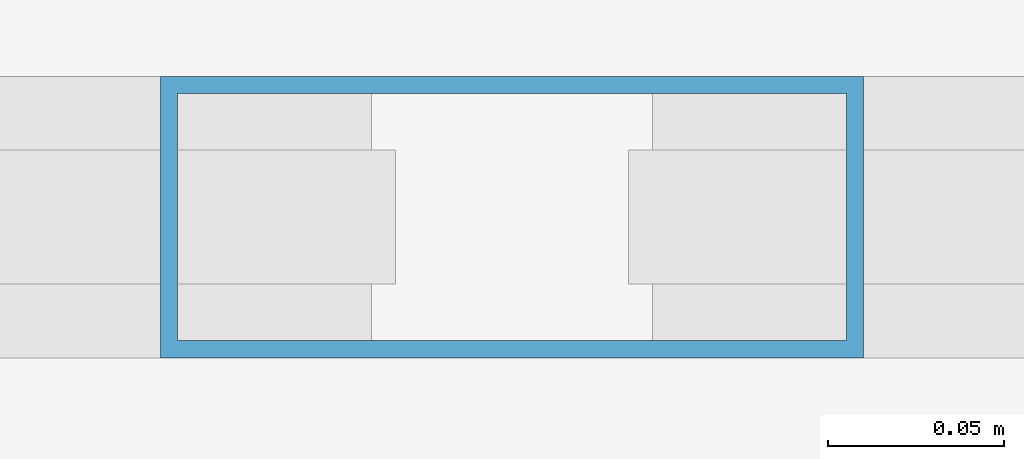
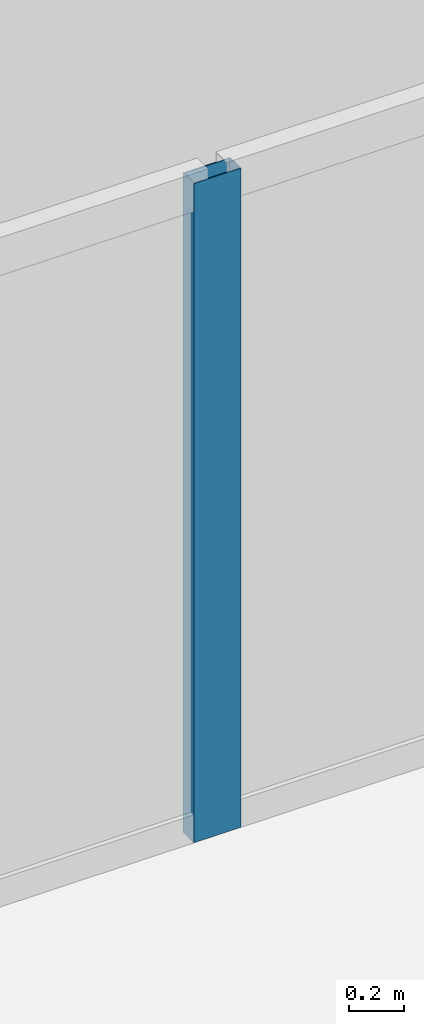
# One storey, part 12 of 21: 1 member, 1 element without a shape of its own.
"""IFC4 building model written with IfcOpenShell, lengths in metres."""

from ifc_helpers import new_model, si_unit, direction, frame, origin, origin_2d, place, context, subcontext, project, spatial, hollow_rectangle, extrude, source, transform, mapped, material, layer, layer_set, material_profile, profile_set, type_object, element, aggregate, save


model = new_model("IFC4")

# Units and contexts
model_context = context("Model", 3, precision=1e-05, world=origin(), true_north=direction((0.0, 1.0)))
body_context = subcontext(model_context, "Body", "Model", "MODEL_VIEW")
ifc_project = project(units=[si_unit("LENGTHUNIT", "METRE"), si_unit("AREAUNIT", "SQUARE_METRE"), si_unit("VOLUMEUNIT", "CUBIC_METRE"), si_unit("PLANEANGLEUNIT", "RADIAN"), si_unit("MASSUNIT", "GRAM", prefix="KILO")], contexts=[model_context])

# Site, building, storey
site_placement = place(None, origin())
site = spatial("IfcSite", under=ifc_project, at=site_placement, CompositionType="ELEMENT")
building_placement = place(site_placement, origin())
building = spatial("IfcBuilding", under=site, at=building_placement, Name="Kolveth Station Tower", CompositionType="ELEMENT")
storey_placement = place(building_placement, frame((0.0, 0.0, 121.5)))
storey = spatial("IfcBuildingStorey", under=building, at=storey_placement, Name="L33", CompositionType="ELEMENT", Elevation=121.5)

# Curtain wall, member
ifc_material_1 = material(Name="Aluminium 6063-T6 and low-E dark glass", Category="aluminium")
ifc_layer = layer(ifc_material_1, 0.18994140625)
ifc_layer_set = layer_set([ifc_layer], Name="Aluminium 6063-T6 and low-E dark glass")
curtain_wall_type = type_object("IfcCurtainWallType", Name="CurtainWall_CW-Z2", PredefinedType="NOTDEFINED", material=ifc_layer_set)
curtain_wall_placement = place(storey_placement, origin())
curtain_wall = element("IfcCurtainWall", 1, at=curtain_wall_placement, inside=storey, type_object=curtain_wall_type, Name="L33 Inner Thermal Curtain Wall 6", PredefinedType="NOTDEFINED")
ifc_material_2 = material(Name="Black anodized aluminium 6063-T6", Category="aluminium")
ifc_material_profile = material_profile(ifc_material_2, hollow_rectangle(XDim=0.080078125, YDim=0.199951171875, WallThickness=0.0048828125, at=origin_2d()), Name="ALU-80x200x5")
ifc_profile_set = profile_set([ifc_material_profile], Name="Black anodized aluminium 6063-T6")
member_type = type_object("IfcMemberType", Name="Mullion_ML2", PredefinedType="MULLION", material=ifc_profile_set)
shared_shape = source(origin(), body_context, "Body", "SweptSolid", [
    extrude(hollow_rectangle(XDim=0.080078125, YDim=0.199951171875, WallThickness=0.0048828125, at=origin_2d()), origin(), (0.0, 0.0, 1.0), 2.949951171875),
])
member_placement = place(storey_placement, frame((23.5, 35.179931640625, 0.0), z_axis=(0.0, 0.0, 1.0), x_axis=(0.0, -1.0, 0.0)))
member = element("IfcMember", 2, at=member_placement, type_object=member_type, Name="CW-Z2 mullion 2", PredefinedType="MULLION", context=body_context, shape_type="MappedRepresentation", body=[
    mapped(shared_shape, transform((0.0, 0.0, 0.0), x_axis=(1.0, 0.0, 0.0), y_axis=(0.0, 1.0, 0.0), z_axis=(0.0, 0.0, 1.0), scale=1.0)),
])
aggregate(curtain_wall, [member])

save(model, "model.ifc")
